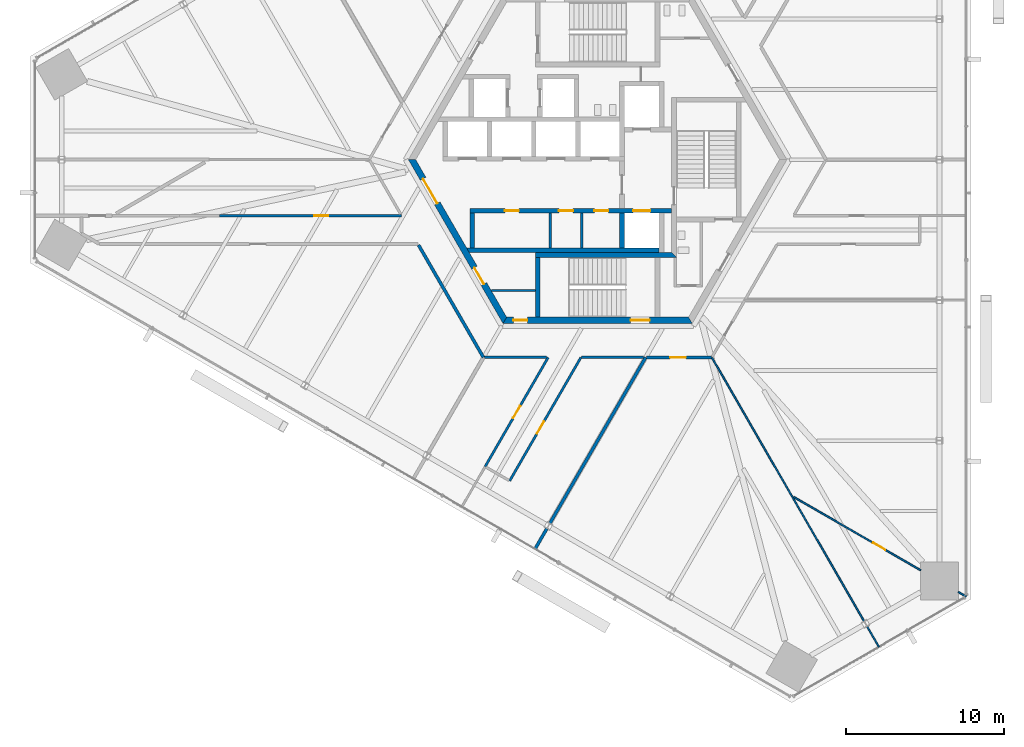
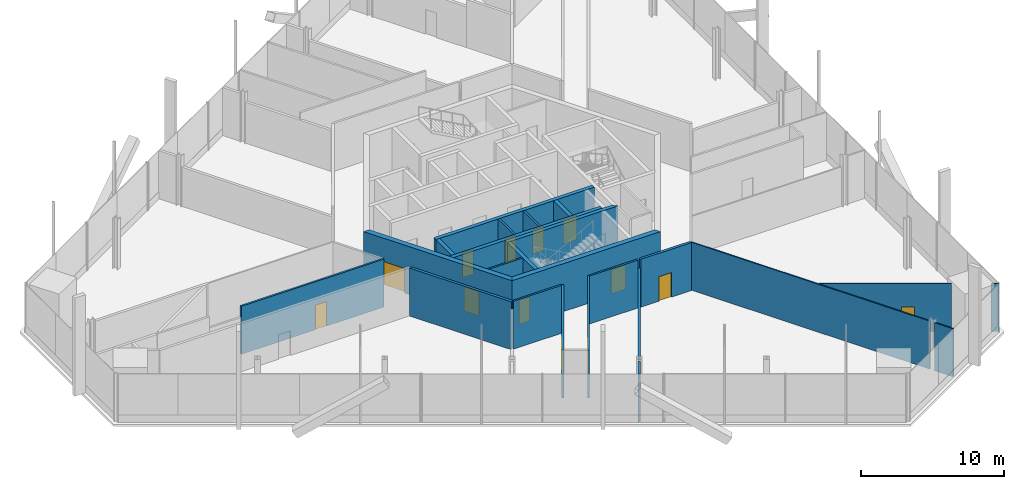
# One storey, part 11 of 19: 24 walls, 13 doors, 13 openings.
"""IFC4 building model written with IfcOpenShell, lengths in metres."""

from ifc_helpers import new_model, si_unit, direction, frame, frame_2d, origin, place, context, subcontext, project, spatial, polyline, rectangle, outline, extrude, source, transform, mapped, material, layer, layer_set, type_object, element, fill, save


model = new_model("IFC4")

# Units and contexts
model_context = context("Model", 3, precision=1e-05, world=origin(), true_north=direction((0.0, 1.0)))
body_context = subcontext(model_context, "Body", "Model", "MODEL_VIEW")
ifc_project = project(units=[si_unit("LENGTHUNIT", "METRE"), si_unit("AREAUNIT", "SQUARE_METRE"), si_unit("VOLUMEUNIT", "CUBIC_METRE"), si_unit("PLANEANGLEUNIT", "RADIAN"), si_unit("MASSUNIT", "GRAM", prefix="KILO")], contexts=[model_context])

# Site, building, storey
site_placement = place(None, origin())
site = spatial("IfcSite", under=ifc_project, at=site_placement, CompositionType="ELEMENT")
building_placement = place(site_placement, origin())
building = spatial("IfcBuilding", under=site, at=building_placement, Name="Triune Harvest Tower", CompositionType="ELEMENT")
storey_placement = place(building_placement, frame((0.0, 0.0, 24.60009765625)))
storey = spatial("IfcBuildingStorey", under=building, at=storey_placement, Name="L05", CompositionType="ELEMENT", Elevation=24.60009765625)

# Wall, openings, doors
ifc_material_1 = material(Name="Concrete 70 MPa", Category="concrete")
ifc_layer_1 = layer(ifc_material_1, 0.39990234375)
ifc_layer_set_1 = layer_set([ifc_layer_1], Name="Concrete 70 MPa")
wall_type_1 = type_object("IfcWallType", Name="Core wall 400", PredefinedType="SHEAR", material=ifc_layer_set_1)
shared_shape_1 = source(origin(), body_context, "Body", "SweptSolid", [
    extrude(outline(polyline([(-0.115478515625, -0.199951171875), (11.884521484375, -0.199951171875), (11.653564453125, 0.199951171875), (0.115478515625, 0.199951171875), (-0.115478515625, -0.199951171875)])), origin(), (0.0, 0.0, 1.0), 4.099853515625),
])
wall_1_placement = place(storey_placement, frame((-11.76904296875, 0.0, 0.0), z_axis=(0.0, 0.0, 1.0), x_axis=(0.499996592174, -0.866027371285, 0.0)))
wall_1 = element("IfcWall", 1, at=wall_1_placement, inside=storey, type_object=wall_type_1, Name="Hexagon 3 wall", PredefinedType="SHEAR", context=body_context, shape_type="MappedRepresentation", body=[
    mapped(shared_shape_1, transform((0.0, 0.0, 0.0), scale=1.0)),
])
opening_1_placement = place(wall_1_placement, frame((1.404541015625, 0.0, 0.0)))
opening_1 = element("IfcOpeningElement", 2, at=opening_1_placement, cuts=wall_1, Name="Opening CD-LS", PredefinedType="OPENING", context=body_context, shape_type="SweptSolid", body=[
    extrude(rectangle(XDim=1.800048828125, YDim=2.10009765625, at=frame_2d((0.89990234375, 1.050048828125))), frame((0.0, 0.2099609375, 0.0), z_axis=(0.0, -1.0, 0.0), x_axis=(1.0, 0.0, 0.0)), (0.0, 0.0, 1.0), 0.419921875),
])
opening_2_placement = place(wall_1_placement, frame((7.91455078125, 0.0, 0.0)))
opening_2 = element("IfcOpeningElement", 3, at=opening_2_placement, cuts=wall_1, Name="Opening CD-SWP", PredefinedType="OPENING", context=body_context, shape_type="SweptSolid", body=[
    extrude(rectangle(XDim=1.199951171875, YDim=2.10009765625, at=frame_2d((0.60009765625, 1.050048828125))), frame((0.0, 0.2099609375, 0.0), z_axis=(0.0, -1.0, 0.0), x_axis=(1.0, 0.0, 0.0)), (0.0, 0.0, 1.0), 0.419921875),
])
ifc_material_2 = material(Name="Steel S235", Category="steel")
door_type_1 = type_object("IfcDoorType", Name="Lobby door 1800 FD120", OperationType="DOUBLE_DOOR_DOUBLE_SWING", PredefinedType="DOOR", material=ifc_material_2)
door_1_placement = place(opening_1_placement, frame((1.800048828125, 0.0, 0.0), z_axis=(0.0, 0.0, 1.0), x_axis=(-1.0, 0.0, 0.0)))
door_1 = element("IfcDoor", 4, at=door_1_placement, inside=storey, type_object=door_type_1, Name="Door CD-LS", OperationType="DOUBLE_DOOR_DOUBLE_SWING", OverallHeight=2.10009765625, OverallWidth=1.800048828125, PredefinedType="DOOR", context=body_context, shape_type="SweptSolid", body=[
    extrude(rectangle(XDim=1.800048828125, YDim=2.10009765625, at=frame_2d((0.89990234375, 1.050048828125))), frame((0.0, 0.02490234375, 0.0), z_axis=(0.0, -1.0, 0.0), x_axis=(1.0, 0.0, 0.0)), (0.0, 0.0, 1.0), 0.050048828125),
])
fill(opening_1, door_1)
ifc_material_3 = material(Name="Steel S235", Category="steel")
door_type_2 = type_object("IfcDoorType", Name="Service door 1200 FD120", OperationType="SINGLE_SWING_LEFT", PredefinedType="DOOR", material=ifc_material_3)
door_2_placement = place(opening_2_placement, frame((1.199951171875, 0.0, 0.0), z_axis=(0.0, 0.0, 1.0), x_axis=(-1.0, 0.0, 0.0)))
door_2 = element("IfcDoor", 5, at=door_2_placement, inside=storey, type_object=door_type_2, Name="Door CD-SWP", OperationType="SINGLE_SWING_RIGHT", OverallHeight=2.10009765625, OverallWidth=1.199951171875, PredefinedType="DOOR", context=body_context, shape_type="SweptSolid", body=[
    extrude(rectangle(XDim=1.199951171875, YDim=2.10009765625, at=frame_2d((0.60009765625, 1.050048828125))), frame((0.0, 0.02490234375, 0.0), z_axis=(0.0, -1.0, 0.0), x_axis=(1.0, 0.0, 0.0)), (0.0, 0.0, 1.0), 0.050048828125),
])
fill(opening_2, door_2)

wall_2_placement = place(storey_placement, frame((-5.884521484375, -10.1923828125, 0.0), z_axis=(0.0, 0.0, 1.0), x_axis=(1.0, 0.0, 0.0)))
wall_2 = element("IfcWall", 6, at=wall_2_placement, inside=storey, type_object=wall_type_1, Name="Hexagon 4 wall", PredefinedType="SHEAR", context=body_context, shape_type="MappedRepresentation", body=[
    mapped(shared_shape_1, transform((0.0, 0.0, 0.0), scale=1.0)),
])
opening_3_placement = place(wall_2_placement, frame((7.984619140625, 0.0, 0.0)))
opening_3 = element("IfcOpeningElement", 7, at=opening_3_placement, cuts=wall_2, Name="Opening CD-S2P", PredefinedType="OPENING", context=body_context, shape_type="SweptSolid", body=[
    extrude(rectangle(XDim=1.199951171875, YDim=2.10009765625, at=frame_2d((0.60009765625, 1.050048828125))), frame((0.0, 0.2099609375, 0.0), z_axis=(0.0, -1.0, 0.0), x_axis=(1.0, 0.0, 0.0)), (0.0, 0.0, 1.0), 0.419921875),
])
opening_4_placement = place(wall_2_placement, frame((0.534423828125, 0.0, 0.0)))
opening_4 = element("IfcOpeningElement", 8, at=opening_4_placement, cuts=wall_2, Name="Opening CD-SWS", PredefinedType="OPENING", context=body_context, shape_type="SweptSolid", body=[
    extrude(rectangle(XDim=0.89990234375, YDim=2.10009765625, at=frame_2d((0.449951171875, 1.050048828125))), frame((0.0, 0.2099609375, 0.0), z_axis=(0.0, -1.0, 0.0), x_axis=(1.0, 0.0, 0.0)), (0.0, 0.0, 1.0), 0.419921875),
])
ifc_material_4 = material(Name="Steel S235", Category="steel")
door_type_3 = type_object("IfcDoorType", Name="Riser door 900 FD120", OperationType="SINGLE_SWING_LEFT", PredefinedType="DOOR", material=ifc_material_4)
door_3_placement = place(opening_4_placement, frame((0.89990234375, 0.0, 0.0), z_axis=(0.0, 0.0, 1.0), x_axis=(-1.0, 0.0, 0.0)))
door_3 = element("IfcDoor", 9, at=door_3_placement, inside=storey, type_object=door_type_3, Name="Door CD-SWS", OperationType="SINGLE_SWING_RIGHT", OverallHeight=2.10009765625, OverallWidth=0.89990234375, PredefinedType="DOOR", context=body_context, shape_type="SweptSolid", body=[
    extrude(rectangle(XDim=0.89990234375, YDim=2.10009765625, at=frame_2d((0.449951171875, 1.050048828125))), frame((0.0, 0.02490234375, 0.0), z_axis=(0.0, -1.0, 0.0), x_axis=(1.0, 0.0, 0.0)), (0.0, 0.0, 1.0), 0.050048828125),
])
fill(opening_4, door_3)
ifc_material_5 = material(Name="Steel S235", Category="steel")
door_type_4 = type_object("IfcDoorType", Name="Stair door 1200 FD120", OperationType="SINGLE_SWING_LEFT", PredefinedType="DOOR", material=ifc_material_5)
door_4_placement = place(opening_3_placement, frame((1.199951171875, 0.0, 0.0), z_axis=(0.0, 0.0, 1.0), x_axis=(-1.0, 0.0, 0.0)))
door_4 = element("IfcDoor", 10, at=door_4_placement, inside=storey, type_object=door_type_4, Name="Door CD-S2P", OperationType="SINGLE_SWING_RIGHT", OverallHeight=2.10009765625, OverallWidth=1.199951171875, PredefinedType="DOOR", context=body_context, shape_type="SweptSolid", body=[
    extrude(rectangle(XDim=1.199951171875, YDim=2.10009765625, at=frame_2d((0.60009765625, 1.050048828125))), frame((0.0, 0.02490234375, 0.0), z_axis=(0.0, -1.0, 0.0), x_axis=(1.0, 0.0, 0.0)), (0.0, 0.0, 1.0), 0.050048828125),
])
fill(opening_3, door_4)

ifc_material_6 = material(Name="Concrete 70 MPa", Category="concrete")
ifc_layer_2 = layer(ifc_material_6, 0.300048828125)
ifc_layer_set_2 = layer_set([ifc_layer_2], Name="Concrete 70 MPa")
wall_type_2 = type_object("IfcWallType", Name="Core wall 300", PredefinedType="SHEAR", material=ifc_layer_set_2)
shared_shape_2 = source(origin(), body_context, "Body", "SweptSolid", [
    extrude(rectangle(XDim=12.800048828125, YDim=0.300048828125, at=frame_2d((6.39990234375, 0.0))), origin(), (0.0, 0.0, 1.0), 4.099853515625),
])
wall_3_placement = place(storey_placement, frame((-8.10009765625, -3.239990234375, 0.0), z_axis=(0.0, 0.0, 1.0), x_axis=(1.0, 0.0, 0.0)))
wall_3 = element("IfcWall", 11, at=wall_3_placement, inside=storey, type_object=wall_type_2, Name="South front wall", PredefinedType="SHEAR", context=body_context, shape_type="MappedRepresentation", body=[
    mapped(shared_shape_2, transform((0.0, 0.0, 0.0), scale=1.0)),
])
opening_5_placement = place(wall_3_placement, frame((2.21240234375, 0.0, 0.0)))
opening_5 = element("IfcOpeningElement", 12, at=opening_5_placement, cuts=wall_3, Name="Opening CD-RS1", PredefinedType="OPENING", context=body_context, shape_type="SweptSolid", body=[
    extrude(rectangle(XDim=0.89990234375, YDim=2.10009765625, at=frame_2d((0.449951171875, 1.050048828125))), frame((0.0, 0.16015625, 0.0), z_axis=(0.0, -1.0, 0.0), x_axis=(1.0, 0.0, 0.0)), (0.0, 0.0, 1.0), 0.320068359375),
])
opening_6_placement = place(wall_3_placement, frame((5.64990234375, 0.0, 0.0)))
opening_6 = element("IfcOpeningElement", 13, at=opening_6_placement, cuts=wall_3, Name="Opening CD-RS2", PredefinedType="OPENING", context=body_context, shape_type="SweptSolid", body=[
    extrude(rectangle(XDim=0.89990234375, YDim=2.10009765625, at=frame_2d((0.449951171875, 1.050048828125))), frame((0.0, 0.16015625, 0.0), z_axis=(0.0, -1.0, 0.0), x_axis=(1.0, 0.0, 0.0)), (0.0, 0.0, 1.0), 0.320068359375),
])
opening_7_placement = place(wall_3_placement, frame((7.887451171875, 0.0, 0.0)))
opening_7 = element("IfcOpeningElement", 14, at=opening_7_placement, cuts=wall_3, Name="Opening CD-RS3", PredefinedType="OPENING", context=body_context, shape_type="SweptSolid", body=[
    extrude(rectangle(XDim=0.89990234375, YDim=2.10009765625, at=frame_2d((0.449951171875, 1.050048828125))), frame((0.0, 0.16015625, 0.0), z_axis=(0.0, -1.0, 0.0), x_axis=(1.0, 0.0, 0.0)), (0.0, 0.0, 1.0), 0.320068359375),
])
opening_8_placement = place(wall_3_placement, frame((10.35009765625, 0.0, 0.0)))
opening_8 = element("IfcOpeningElement", 15, at=opening_8_placement, cuts=wall_3, Name="Opening LD-FF2-05", PredefinedType="OPENING", context=body_context, shape_type="SweptSolid", body=[
    extrude(rectangle(XDim=1.10009765625, YDim=2.10009765625, at=frame_2d((0.550048828125, 1.050048828125))), frame((0.0, 0.16015625, 0.0), z_axis=(0.0, -1.0, 0.0), x_axis=(1.0, 0.0, 0.0)), (0.0, 0.0, 1.0), 0.320068359375),
])
ifc_material_7 = material(Name="Stainless steel AISI 304", Category="steel")
door_type_5 = type_object("IfcDoorType", Name="Landing door 1100 x 2100", OperationType="DOUBLE_DOOR_SLIDING", PredefinedType="DOOR", material=ifc_material_7)
door_5_placement = place(opening_8_placement, origin())
door_5 = element("IfcDoor", 16, at=door_5_placement, inside=storey, type_object=door_type_5, Name="Door LD-FF2-05", OperationType="DOUBLE_DOOR_SLIDING", OverallHeight=2.10009765625, OverallWidth=1.10009765625, PredefinedType="DOOR", context=body_context, shape_type="SweptSolid", body=[
    extrude(rectangle(XDim=1.10009765625, YDim=2.10009765625, at=frame_2d((0.550048828125, 1.050048828125))), frame((0.0, 0.02490234375, 0.0), z_axis=(0.0, -1.0, 0.0), x_axis=(1.0, 0.0, 0.0)), (0.0, 0.0, 1.0), 0.050048828125),
])
fill(opening_8, door_5)
door_6_placement = place(opening_5_placement, origin())
door_6 = element("IfcDoor", 17, at=door_6_placement, inside=storey, type_object=door_type_3, Name="Door CD-RS1", OperationType="SINGLE_SWING_LEFT", OverallHeight=2.10009765625, OverallWidth=0.89990234375, PredefinedType="DOOR", context=body_context, shape_type="SweptSolid", body=[
    extrude(rectangle(XDim=0.89990234375, YDim=2.10009765625, at=frame_2d((0.449951171875, 1.050048828125))), frame((0.0, 0.02490234375, 0.0), z_axis=(0.0, -1.0, 0.0), x_axis=(1.0, 0.0, 0.0)), (0.0, 0.0, 1.0), 0.050048828125),
])
fill(opening_5, door_6)
door_7_placement = place(opening_6_placement, origin())
door_7 = element("IfcDoor", 18, at=door_7_placement, inside=storey, type_object=door_type_3, Name="Door CD-RS2", OperationType="SINGLE_SWING_LEFT", OverallHeight=2.10009765625, OverallWidth=0.89990234375, PredefinedType="DOOR", context=body_context, shape_type="SweptSolid", body=[
    extrude(rectangle(XDim=0.89990234375, YDim=2.10009765625, at=frame_2d((0.449951171875, 1.050048828125))), frame((0.0, 0.02490234375, 0.0), z_axis=(0.0, -1.0, 0.0), x_axis=(1.0, 0.0, 0.0)), (0.0, 0.0, 1.0), 0.050048828125),
])
fill(opening_6, door_7)
door_8_placement = place(opening_7_placement, origin())
door_8 = element("IfcDoor", 19, at=door_8_placement, inside=storey, type_object=door_type_3, Name="Door CD-RS3", OperationType="SINGLE_SWING_LEFT", OverallHeight=2.10009765625, OverallWidth=0.89990234375, PredefinedType="DOOR", context=body_context, shape_type="SweptSolid", body=[
    extrude(rectangle(XDim=0.89990234375, YDim=2.10009765625, at=frame_2d((0.449951171875, 1.050048828125))), frame((0.0, 0.02490234375, 0.0), z_axis=(0.0, -1.0, 0.0), x_axis=(1.0, 0.0, 0.0)), (0.0, 0.0, 1.0), 0.050048828125),
])
fill(opening_7, door_8)

# Walls
shared_shape_3 = source(origin(), body_context, "Body", "SweptSolid", [
    extrude(outline(polyline([(12.0, -0.14990234375), (-0.039794921875, -0.14990234375), (-0.212890625, 0.14990234375), (12.0, 0.14990234375), (12.0, -0.14990234375)])), origin(), (0.0, 0.0, 1.0), 4.099853515625),
])
wall_4_placement = place(storey_placement, frame((-8.10009765625, -5.739990234375, 0.0), z_axis=(0.0, 0.0, 1.0), x_axis=(1.0, 0.0, 0.0)))
element("IfcWall", 20, at=wall_4_placement, inside=storey, type_object=wall_type_2, Name="South back wall", PredefinedType="SHEAR", context=body_context, shape_type="MappedRepresentation", body=[
    mapped(shared_shape_3, transform((0.0, 0.0, 0.0), scale=1.0)),
])
shared_shape_4 = source(origin(), body_context, "Body", "SweptSolid", [
    extrude(rectangle(XDim=2.2001953125, YDim=0.300048828125, at=frame_2d((1.10009765625, 0.0))), origin(), (0.0, 0.0, 1.0), 4.099853515625),
])
for number, where, z_axis, x_axis, name in (
    (21, (-7.949951171875, -5.590087890625, 0.0), (0.0, 0.0, 1.0), (0.0, 1.0, 0.0), "South end west wall"),
    (22, (1.550048828125, -5.590087890625, 0.0), (0.0, 0.0, 1.0), (0.0, 1.0, 0.0), "Ff2 west wall"),
):
    element("IfcWall", number, at=place(storey_placement, frame(where, z_axis=z_axis, x_axis=x_axis)), inside=storey, type_object=wall_type_2, Name=name, PredefinedType="SHEAR", context=body_context, shape_type="MappedRepresentation", body=[
        mapped(shared_shape_4, transform((0.0, 0.0, 0.0), scale=1.0)),
    ])
shared_shape_5 = source(origin(), body_context, "Body", "SweptSolid", [
    extrude(outline(polyline([(0.0, -0.14990234375), (8.949951171875, -0.14990234375), (8.64990234375, 0.14990234375), (0.0, 0.14990234375), (0.0, -0.14990234375)])), origin(), (0.0, 0.0, 1.0), 4.099853515625),
])
wall_5_placement = place(storey_placement, frame((-3.949951171875, -6.0400390625, 0.0), z_axis=(0.0, 0.0, 1.0), x_axis=(1.0, 0.0, 0.0)))
element("IfcWall", 23, at=wall_5_placement, inside=storey, type_object=wall_type_2, Name="Stair s north wall", PredefinedType="SHEAR", context=body_context, shape_type="MappedRepresentation", body=[
    mapped(shared_shape_5, transform((0.0, 0.0, 0.0), scale=1.0)),
])
shared_shape_6 = source(origin(), body_context, "Body", "SweptSolid", [
    extrude(outline(polyline([(3.800048828125, -0.14990234375), (-0.00439453125, -0.14990234375), (-0.00439453125, 0.14990234375), (3.800048828125, 0.14990234375), (3.800048828125, -0.14990234375)])), origin(), (0.0, 0.0, 1.0), 4.099853515625),
])
wall_6_placement = place(storey_placement, frame((-3.800048828125, -9.989990234375, 0.0), z_axis=(0.0, 0.0, 1.0), x_axis=(0.0, 1.0, 0.0)))
element("IfcWall", 24, at=wall_6_placement, inside=storey, type_object=wall_type_2, Name="Stair s west wall", PredefinedType="SHEAR", context=body_context, shape_type="MappedRepresentation", body=[
    mapped(shared_shape_6, transform((0.0, 0.0, 0.0), scale=1.0)),
])
ifc_material_8 = material(Name="Concrete masonry unit", Category="masonry")
ifc_layer_3 = layer(ifc_material_8, 0.14990234375)
ifc_layer_set_3 = layer_set([ifc_layer_3], Name="Concrete masonry unit")
wall_type_3 = type_object("IfcWallType", Name="Block partition 150", PredefinedType="PARTITIONING", material=ifc_layer_set_3)
shared_shape_7 = source(origin(), body_context, "Body", "SweptSolid", [
    extrude(rectangle(XDim=2.2001953125, YDim=0.14990234375, at=frame_2d((1.10009765625, 0.0))), origin(), (0.0, 0.0, 1.0), 4.099853515625),
])
for number, where, z_axis, x_axis, name in (
    (25, (-3.0, -5.590087890625, 0.0), (0.0, 0.0, 1.0), (0.0, 1.0, 0.0), "Row s part 1 wall"),
    (26, (-1.0, -5.590087890625, 0.0), (0.0, 0.0, 1.0), (0.0, 1.0, 0.0), "Row s part 2 wall"),
):
    element("IfcWall", number, at=place(storey_placement, frame(where, z_axis=z_axis, x_axis=x_axis)), inside=storey, type_object=wall_type_3, Name=name, PredefinedType="PARTITIONING", context=body_context, shape_type="MappedRepresentation", body=[
        mapped(shared_shape_7, transform((0.0, 0.0, 0.0), scale=1.0)),
    ])
shared_shape_8 = source(origin(), body_context, "Body", "SweptSolid", [
    extrude(rectangle(XDim=2.777099609375, YDim=0.14990234375, at=frame_2d((1.388671875, 0.0))), origin(), (0.0, 0.0, 1.0), 4.099853515625),
])
wall_7_placement = place(storey_placement, frame((-6.72705078125, -8.300048828125, 0.0), z_axis=(0.0, 0.0, 1.0), x_axis=(1.0, 0.0, 0.0)))
element("IfcWall", 27, at=wall_7_placement, inside=storey, type_object=wall_type_3, Name="Sw part wall", PredefinedType="PARTITIONING", context=body_context, shape_type="MappedRepresentation", body=[
    mapped(shared_shape_8, transform((0.0, 0.0, 0.0), scale=1.0)),
])
ifc_material_9 = material(Name="Gypsum board on steel studs", Category="steel")
ifc_layer_4 = layer(ifc_material_9, 0.199951171875)
ifc_layer_set_4 = layer_set([ifc_layer_4], Name="Gypsum board on steel studs")
wall_type_4 = type_object("IfcWallType", Name="Fire Wall 200 mm", PredefinedType="PARTITIONING", material=ifc_layer_set_4)
shared_shape_9 = source(origin(), body_context, "Body", "SweptSolid", [
    extrude(rectangle(XDim=12.14794921875, YDim=0.199951171875, at=frame_2d((6.073974609375, 0.0))), origin(), (0.0, 0.0, 1.0), 3.343017578125),
])
wall_8_placement = place(storey_placement, frame((-3.02685546875, -23.062744140625, 0.0), z_axis=(0.0, 0.0, 1.0), x_axis=(0.499997320042, 0.866026951053, 0.0)))
element("IfcWall", 28, at=wall_8_placement, inside=storey, type_object=wall_type_4, Name="Partition L05 046", PredefinedType="PARTITIONING", context=body_context, shape_type="MappedRepresentation", body=[
    mapped(shared_shape_9, transform((0.0, 0.0, 0.0), scale=1.0)),
])
shared_shape_10 = source(origin(), body_context, "Body", "SweptSolid", [
    extrude(rectangle(XDim=8.229248046875, YDim=0.199951171875, at=frame_2d((4.11474609375, 0.0))), origin(), (0.0, 0.0, 1.0), 4.099853515625),
])
wall_9_placement = place(storey_placement, frame((-11.35595703125, -5.41552734375, 0.0), z_axis=(0.0, 0.0, 1.0), x_axis=(0.500012644715, -0.866018103232, 0.0)))
element("IfcWall", 29, at=wall_9_placement, inside=storey, type_object=wall_type_4, Name="Partition L05 002", PredefinedType="PARTITIONING", context=body_context, shape_type="MappedRepresentation", body=[
    mapped(shared_shape_10, transform((0.0, 0.0, 0.0), scale=1.0)),
])
ifc_material_10 = material(Name="Gypsum board on steel studs", Category="steel")
ifc_layer_5 = layer(ifc_material_10, 0.10009765625)
ifc_layer_set_5 = layer_set([ifc_layer_5], Name="Gypsum board on steel studs")
wall_type_5 = type_object("IfcWallType", Name="Partition 100 mm", PredefinedType="PARTITIONING", material=ifc_layer_set_5)
shared_shape_11 = source(origin(), body_context, "Body", "SweptSolid", [
    extrude(rectangle(XDim=19.31298828125, YDim=0.10009765625, at=frame_2d((9.656494140625, 0.0))), origin(), (0.0, 0.0, 1.0), 4.099853515625),
])
wall_10_placement = place(storey_placement, frame((7.2412109375, -12.542236328125, 0.0), z_axis=(0.0, 0.0, 1.0), x_axis=(0.499998935845, -0.866026018174, 0.0)))
element("IfcWall", 30, at=wall_10_placement, inside=storey, type_object=wall_type_5, Name="Partition L05 007", PredefinedType="PARTITIONING", context=body_context, shape_type="MappedRepresentation", body=[
    mapped(shared_shape_11, transform((0.0, 0.0, 0.0), scale=1.0)),
])
shared_shape_12 = source(origin(), body_context, "Body", "SweptSolid", [
    extrude(rectangle(XDim=1.498779296875, YDim=0.10009765625, at=frame_2d((0.74951171875, 0.0))), origin(), (0.0, 0.0, 1.0), 4.099853515625),
])
wall_11_placement = place(storey_placement, frame((17.0908203125, -29.602294921875, 0.0), z_axis=(0.0, 0.0, 1.0), x_axis=(0.499905760005, -0.866079806435, 0.0)))
element("IfcWall", 31, at=wall_11_placement, inside=storey, type_object=wall_type_5, Name="Partition L05 008", PredefinedType="PARTITIONING", context=body_context, shape_type="MappedRepresentation", body=[
    mapped(shared_shape_12, transform((0.0, 0.0, 0.0), scale=1.0)),
])
shared_shape_13 = source(origin(), body_context, "Body", "SweptSolid", [
    extrude(rectangle(XDim=1.498779296875, YDim=0.199951171875, at=frame_2d((0.74951171875, 0.0))), origin(), (0.0, 0.0, 1.0), 4.099853515625),
])
wall_12_placement = place(storey_placement, frame((-3.969482421875, -24.6953125, 0.0), z_axis=(0.0, 0.0, 1.0), x_axis=(0.499905760005, 0.866079806435, 0.0)))
element("IfcWall", 32, at=wall_12_placement, inside=storey, type_object=wall_type_4, Name="Partition L05 045", PredefinedType="PARTITIONING", context=body_context, shape_type="MappedRepresentation", body=[
    mapped(shared_shape_13, transform((0.0, 0.0, 0.0), scale=1.0)),
])

# Wall, opening, door
shared_shape_14 = source(origin(), body_context, "Body", "SweptSolid", [
    extrude(rectangle(XDim=9.2958984375, YDim=0.10009765625, at=frame_2d((4.64794921875, 0.0))), origin(), (0.0, 0.0, 1.0), 4.099853515625),
])
wall_13_placement = place(storey_placement, frame((12.43896484375, -21.39501953125, 0.0), z_axis=(0.0, 0.0, 1.0), x_axis=(0.866026826754, -0.499997535337, 0.0)))
wall_13 = element("IfcWall", 33, at=wall_13_placement, inside=storey, type_object=wall_type_5, Name="Partition L05 019", PredefinedType="PARTITIONING", context=body_context, shape_type="MappedRepresentation", body=[
    mapped(shared_shape_14, transform((0.0, 0.0, 0.0), scale=1.0)),
])
opening_9_placement = place(wall_13_placement, frame((5.800048828125, 0.0, 0.0)))
opening_9 = element("IfcOpeningElement", 34, at=opening_9_placement, cuts=wall_13, Name="Opening L05-022", PredefinedType="OPENING", context=body_context, shape_type="SweptSolid", body=[
    extrude(rectangle(XDim=0.89990234375, YDim=2.10009765625, at=frame_2d((0.449951171875, 1.050048828125))), frame((0.0, 0.06005859375, 0.0), z_axis=(0.0, -1.0, 0.0), x_axis=(1.0, 0.0, 0.0)), (0.0, 0.0, 1.0), 0.1201171875),
])
ifc_material_11 = material(Name="Timber and steel door set", Category="steel")
door_type_6 = type_object("IfcDoorType", Name="Single leaf door left hand 900 x 2100", OperationType="SINGLE_SWING_LEFT", PredefinedType="DOOR", material=ifc_material_11)
door_9_placement = place(opening_9_placement, origin())
door_9 = element("IfcDoor", 35, at=door_9_placement, inside=storey, type_object=door_type_6, Name="Door L05-022 Laboratory 05.22", OperationType="SINGLE_SWING_LEFT", OverallHeight=2.10009765625, OverallWidth=0.89990234375, PredefinedType="DOOR", context=body_context, shape_type="SweptSolid", body=[
    extrude(rectangle(XDim=0.89990234375, YDim=2.10009765625, at=frame_2d((0.449951171875, 1.050048828125))), frame((0.0, 0.02490234375, 0.0), z_axis=(0.0, -1.0, 0.0), x_axis=(1.0, 0.0, 0.0)), (0.0, 0.0, 1.0), 0.050048828125),
])
fill(opening_9, door_9)

# Walls
shared_shape_15 = source(origin(), body_context, "Body", "SweptSolid", [
    extrude(rectangle(XDim=0.57958984375, YDim=0.10009765625, at=frame_2d((0.289794921875, 0.0))), origin(), (0.0, 0.0, 1.0), 4.099853515625),
])
wall_14_placement = place(storey_placement, frame((22.869384765625, -27.4169921875, 0.0), z_axis=(0.0, 0.0, 1.0), x_axis=(0.866031268329, -0.499989842173, 0.0)))
element("IfcWall", 36, at=wall_14_placement, inside=storey, type_object=wall_type_5, Name="Partition L05 020", PredefinedType="PARTITIONING", context=body_context, shape_type="MappedRepresentation", body=[
    mapped(shared_shape_15, transform((0.0, 0.0, 0.0), scale=1.0)),
])
ifc_material_12 = material(Name="Gypsum board on steel studs", Category="steel")
ifc_layer_6 = layer(ifc_material_12, 0.14990234375)
ifc_layer_set_6 = layer_set([ifc_layer_6], Name="Gypsum board on steel studs")
wall_type_6 = type_object("IfcWallType", Name="Fire Partition 150 mm", PredefinedType="PARTITIONING", material=ifc_layer_set_6)
shared_shape_16 = source(origin(), body_context, "Body", "SweptSolid", [
    extrude(rectangle(XDim=3.925048828125, YDim=0.14990234375, at=frame_2d((1.96240234375, 0.0))), origin(), (0.0, 0.0, 1.0), 4.099853515625),
])
wall_15_placement = place(storey_placement, frame((-7.17138671875, -12.542236328125, 0.0), z_axis=(0.0, 0.0, 1.0), x_axis=(1.0, 0.0, 0.0)))
element("IfcWall", 37, at=wall_15_placement, inside=storey, type_object=wall_type_6, Name="Partition L05 022", PredefinedType="PARTITIONING", context=body_context, shape_type="MappedRepresentation", body=[
    mapped(shared_shape_16, transform((0.0, 0.0, 0.0), scale=1.0)),
])
shared_shape_17 = source(origin(), body_context, "Body", "SweptSolid", [
    extrude(rectangle(XDim=3.92138671875, YDim=0.14990234375, at=frame_2d((1.960693359375, 0.0))), origin(), (0.0, 0.0, 1.0), 4.099853515625),
])
wall_16_placement = place(storey_placement, frame((-1.0078125, -12.542236328125, 0.0), z_axis=(0.0, 0.0, 1.0), x_axis=(1.0, 0.0, 0.0)))
element("IfcWall", 38, at=wall_16_placement, inside=storey, type_object=wall_type_6, Name="Partition L05 023", PredefinedType="PARTITIONING", context=body_context, shape_type="MappedRepresentation", body=[
    mapped(shared_shape_17, transform((0.0, 0.0, 0.0), scale=1.0)),
])

# Wall, opening, door
shared_shape_18 = source(origin(), body_context, "Body", "SweptSolid", [
    extrude(rectangle(XDim=4.09765625, YDim=0.199951171875, at=frame_2d((2.048828125, 0.0))), origin(), (0.0, 0.0, 1.0), 4.099853515625),
])
wall_17_placement = place(storey_placement, frame((3.113525390625, -12.542236328125, 0.0), z_axis=(0.0, 0.0, 1.0), x_axis=(1.0, 0.0, 0.0)))
wall_17 = element("IfcWall", 39, at=wall_17_placement, inside=storey, type_object=wall_type_4, Name="Partition L05 024", PredefinedType="PARTITIONING", context=body_context, shape_type="MappedRepresentation", body=[
    mapped(shared_shape_18, transform((0.0, 0.0, 0.0), scale=1.0)),
])
opening_10_placement = place(wall_17_placement, frame((1.4833984375, 0.0, 0.0)))
opening_10 = element("IfcOpeningElement", 40, at=opening_10_placement, cuts=wall_17, Name="Opening L05-021", PredefinedType="OPENING", context=body_context, shape_type="SweptSolid", body=[
    extrude(rectangle(XDim=1.0, YDim=2.10009765625, at=frame_2d((0.5, 1.050048828125))), frame((0.0, 0.10986328125, 0.0), z_axis=(0.0, -1.0, 0.0), x_axis=(1.0, 0.0, 0.0)), (0.0, 0.0, 1.0), 0.219970703125),
])
ifc_material_13 = material(Name="Timber and steel door set", Category="steel")
door_type_7 = type_object("IfcDoorType", Name="Wide single leaf door FD60 right hand 1000 x 2100", OperationType="SINGLE_SWING_RIGHT", PredefinedType="DOOR", material=ifc_material_13)
door_10_placement = place(opening_10_placement, origin())
door_10 = element("IfcDoor", 41, at=door_10_placement, inside=storey, type_object=door_type_7, Name="Door L05-021 Growing Room 05.21", OperationType="SINGLE_SWING_RIGHT", OverallHeight=2.10009765625, OverallWidth=1.0, PredefinedType="DOOR", context=body_context, shape_type="SweptSolid", body=[
    extrude(rectangle(XDim=1.0, YDim=2.10009765625, at=frame_2d((0.5, 1.050048828125))), frame((0.0, 0.02490234375, 0.0), z_axis=(0.0, -1.0, 0.0), x_axis=(1.0, 0.0, 0.0)), (0.0, 0.0, 1.0), 0.050048828125),
])
fill(opening_10, door_10)

shared_shape_19 = source(origin(), body_context, "Body", "SweptSolid", [
    extrude(rectangle(XDim=9.03857421875, YDim=0.14990234375, at=frame_2d((4.519287109375, 0.0))), origin(), (0.0, 0.0, 1.0), 4.099853515625),
])
wall_18_placement = place(storey_placement, frame((-5.5771484375, -20.369873046875, 0.0), z_axis=(0.0, 0.0, 1.0), x_axis=(0.499999912267, 0.866025454437, 0.0)))
wall_18 = element("IfcWall", 42, at=wall_18_placement, inside=storey, type_object=wall_type_6, Name="Partition L05 047", PredefinedType="PARTITIONING", context=body_context, shape_type="MappedRepresentation", body=[
    mapped(shared_shape_19, transform((0.0, 0.0, 0.0), scale=1.0)),
])
opening_11_placement = place(wall_18_placement, frame((3.448974609375, 0.0, 0.0)))
opening_11 = element("IfcOpeningElement", 43, at=opening_11_placement, cuts=wall_18, Name="Opening L05-020", PredefinedType="OPENING", context=body_context, shape_type="SweptSolid", body=[
    extrude(rectangle(XDim=0.89990234375, YDim=2.10009765625, at=frame_2d((0.449951171875, 1.050048828125))), frame((0.0, 0.0849609375, 0.0), z_axis=(0.0, -1.0, 0.0), x_axis=(1.0, 0.0, 0.0)), (0.0, 0.0, 1.0), 0.169921875),
])
ifc_material_14 = material(Name="Timber and steel door set", Category="steel")
door_type_8 = type_object("IfcDoorType", Name="Single leaf door FD30 right hand 900 x 2100", OperationType="SINGLE_SWING_RIGHT", PredefinedType="DOOR", material=ifc_material_14)
door_11_placement = place(opening_11_placement, origin())
door_11 = element("IfcDoor", 44, at=door_11_placement, inside=storey, type_object=door_type_8, Name="Door L05-020 Packing Room 05.20", OperationType="SINGLE_SWING_RIGHT", OverallHeight=2.10009765625, OverallWidth=0.89990234375, PredefinedType="DOOR", context=body_context, shape_type="SweptSolid", body=[
    extrude(rectangle(XDim=0.89990234375, YDim=2.10009765625, at=frame_2d((0.449951171875, 1.050048828125))), frame((0.0, 0.02490234375, 0.0), z_axis=(0.0, -1.0, 0.0), x_axis=(1.0, 0.0, 0.0)), (0.0, 0.0, 1.0), 0.050048828125),
])
fill(opening_11, door_11)

shared_shape_20 = source(origin(), body_context, "Body", "SweptSolid", [
    extrude(rectangle(XDim=11.547119140625, YDim=0.14990234375, at=frame_2d((5.7734375, 0.0))), origin(), (0.0, 0.0, 1.0), 4.099853515625),
])
wall_19_placement = place(storey_placement, frame((-23.977294921875, -3.554931640625, 0.0), z_axis=(0.0, 0.0, 1.0), x_axis=(1.0, 0.0, 0.0)))
wall_19 = element("IfcWall", 45, at=wall_19_placement, inside=storey, type_object=wall_type_6, Name="Partition L05 030b", PredefinedType="PARTITIONING", context=body_context, shape_type="MappedRepresentation", body=[
    mapped(shared_shape_20, transform((0.0, 0.0, 0.0), scale=1.0)),
])
opening_12_placement = place(wall_19_placement, frame((5.997314453125, 0.0, 0.0)))
opening_12 = element("IfcOpeningElement", 46, at=opening_12_placement, cuts=wall_19, Name="Opening L05-017", PredefinedType="OPENING", context=body_context, shape_type="SweptSolid", body=[
    extrude(rectangle(XDim=0.89990234375, YDim=2.10009765625, at=frame_2d((0.449951171875, 1.050048828125))), frame((0.0, 0.0849609375, 0.0), z_axis=(0.0, -1.0, 0.0), x_axis=(1.0, 0.0, 0.0)), (0.0, 0.0, 1.0), 0.169921875),
])
door_12_placement = place(opening_12_placement, origin())
door_12 = element("IfcDoor", 47, at=door_12_placement, inside=storey, type_object=door_type_8, Name="Door L05-017 Dry Store Room 05.17", OperationType="SINGLE_SWING_RIGHT", OverallHeight=2.10009765625, OverallWidth=0.89990234375, PredefinedType="DOOR", context=body_context, shape_type="SweptSolid", body=[
    extrude(rectangle(XDim=0.89990234375, YDim=2.10009765625, at=frame_2d((0.449951171875, 1.050048828125))), frame((0.0, 0.02490234375, 0.0), z_axis=(0.0, -1.0, 0.0), x_axis=(1.0, 0.0, 0.0)), (0.0, 0.0, 1.0), 0.050048828125),
])
fill(opening_12, door_12)

shared_shape_21 = source(origin(), body_context, "Body", "SweptSolid", [
    extrude(rectangle(XDim=7.99951171875, YDim=0.14990234375, at=frame_2d((3.999755859375, 0.0))), origin(), (0.0, 0.0, 1.0), 4.099853515625),
])
wall_20_placement = place(storey_placement, frame((-7.135986328125, -19.469970703125, 0.0), z_axis=(0.0, 0.0, 1.0), x_axis=(0.500002489515, 0.866023966458, 0.0)))
wall_20 = element("IfcWall", 48, at=wall_20_placement, inside=storey, type_object=wall_type_6, Name="Partition L05 050", PredefinedType="PARTITIONING", context=body_context, shape_type="MappedRepresentation", body=[
    mapped(shared_shape_21, transform((0.0, 0.0, 0.0), scale=1.0)),
])
opening_13_placement = place(wall_20_placement, frame((3.54931640625, 0.0, 0.0)))
opening_13 = element("IfcOpeningElement", 49, at=opening_13_placement, cuts=wall_20, Name="Opening L05-019", PredefinedType="OPENING", context=body_context, shape_type="SweptSolid", body=[
    extrude(rectangle(XDim=0.89990234375, YDim=2.10009765625, at=frame_2d((0.449951171875, 1.050048828125))), frame((0.0, 0.0849609375, 0.0), z_axis=(0.0, -1.0, 0.0), x_axis=(1.0, 0.0, 0.0)), (0.0, 0.0, 1.0), 0.169921875),
])
ifc_material_15 = material(Name="Timber and steel door set", Category="steel")
door_type_9 = type_object("IfcDoorType", Name="Single leaf door FD30 left hand 900 x 2100", OperationType="SINGLE_SWING_LEFT", PredefinedType="DOOR", material=ifc_material_15)
door_13_placement = place(opening_13_placement, origin())
door_13 = element("IfcDoor", 50, at=door_13_placement, inside=storey, type_object=door_type_9, Name="Door L05-019 Dry Store Room 05.19", OperationType="SINGLE_SWING_LEFT", OverallHeight=2.10009765625, OverallWidth=0.89990234375, PredefinedType="DOOR", context=body_context, shape_type="SweptSolid", body=[
    extrude(rectangle(XDim=0.89990234375, YDim=2.10009765625, at=frame_2d((0.449951171875, 1.050048828125))), frame((0.0, 0.02490234375, 0.0), z_axis=(0.0, -1.0, 0.0), x_axis=(1.0, 0.0, 0.0)), (0.0, 0.0, 1.0), 0.050048828125),
])
fill(opening_13, door_13)

save(model, "model.ifc")
